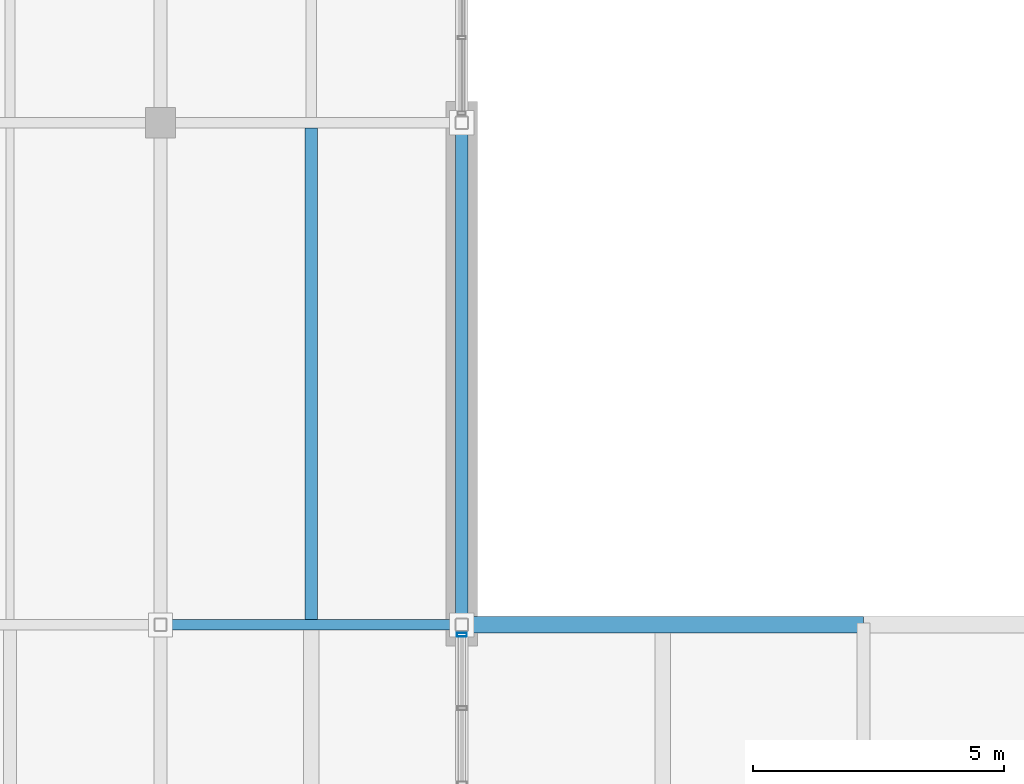
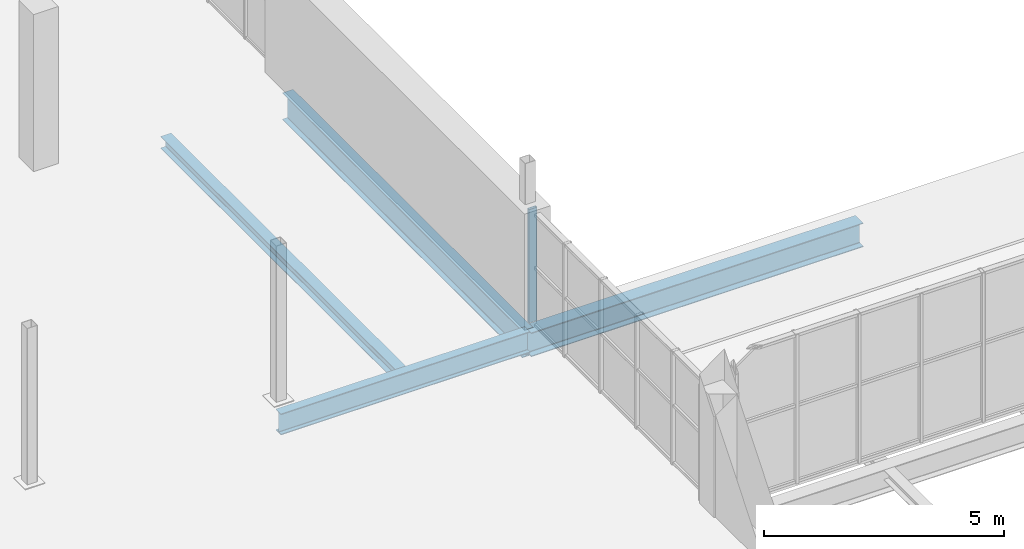
# One storey, part 34 of 96: 4 beams, 1 member, 1 element without a shape of its own.
"""IFC4 building model written with IfcOpenShell, lengths in metres."""

from ifc_helpers import new_model, si_unit, direction, frame, origin, origin_2d, place, context, subcontext, project, spatial, hollow_rectangle, i_section, extrude, material, material_profile, profile_set, type_object, element, aggregate, save


model = new_model("IFC4")

# Units and contexts
model_context = context("Model", 3, precision=1e-05, world=origin(), true_north=direction((0.0, 1.0)))
body_context = subcontext(model_context, "Body", "Model", "MODEL_VIEW")
ifc_project = project(units=[si_unit("LENGTHUNIT", "METRE"), si_unit("AREAUNIT", "SQUARE_METRE"), si_unit("VOLUMEUNIT", "CUBIC_METRE"), si_unit("PLANEANGLEUNIT", "RADIAN"), si_unit("MASSUNIT", "GRAM", prefix="KILO")], contexts=[model_context])

# Site, building, storey
site_placement = place(None, origin())
site = spatial("IfcSite", under=ifc_project, at=site_placement, CompositionType="ELEMENT")
building_placement = place(site_placement, origin())
building = spatial("IfcBuilding", under=site, at=building_placement, Name="Verrall Gate Interchange", CompositionType="ELEMENT")
storey_placement = place(building_placement, frame((0.0, 0.0, 11.39990234375)))
storey = spatial("IfcBuildingStorey", under=building, at=storey_placement, Name="L03", CompositionType="ELEMENT", Elevation=11.39990234375)

# Beams
ifc_material_1 = material(Name="Structural Steel CSA G40.21 350WT Cat 4", Category="steel")
ifc_material_profile_1 = material_profile(ifc_material_1, i_section(OverallWidth=0.256103515625, OverallDepth=0.693115234375, WebThickness=0.01318359375, FlangeThickness=0.02001953125, FilletRadius=0.01611328125, at=origin_2d()), Name="W690x170")
ifc_profile_set_1 = profile_set([ifc_material_profile_1], Name="Structural Steel CSA G40.21 350WT Cat 4")
beam_type_1 = type_object("IfcBeamType", Name="B-07 Structural Beam W690x170", PredefinedType="BEAM", material=ifc_profile_set_1)
beam_1_placement = place(storey_placement, frame((36.0, 56.0, -0.676513671875), z_axis=(0.0, 1.0, 0.0), x_axis=(-1.0, 0.0, 0.0)))
element("IfcBeam", 1, at=beam_1_placement, inside=storey, type_object=beam_type_1, Name="L03 Girder BM-L03-2268 (B-07)", PredefinedType="BEAM", context=body_context, shape_type="SweptSolid", body=[
    extrude(i_section(OverallWidth=0.256103515625, OverallDepth=0.693115234375, WebThickness=0.01318359375, FlangeThickness=0.02001953125, FilletRadius=0.01611328125, at=origin_2d()), origin(), (0.0, 0.0, 1.0), 10.0),
])
ifc_material_2 = material(Name="Structural Steel CSA G40.21 350WT Cat 4", Category="steel")
ifc_material_profile_2 = material_profile(ifc_material_2, i_section(OverallWidth=0.323974609375, OverallDepth=0.611083984375, WebThickness=0.0126953125, FlangeThickness=0.01904296875, FilletRadius=0.014892578125, at=origin_2d()), Name="W610x155")
ifc_profile_set_2 = profile_set([ifc_material_profile_2], Name="Structural Steel CSA G40.21 350WT Cat 4")
beam_type_2 = type_object("IfcBeamType", Name="B-08 Structural Beam W610x155", PredefinedType="BEAM", material=ifc_profile_set_2)
beam_2_placement = place(storey_placement, frame((36.0, 56.0, -0.635498046875), z_axis=(1.0, 0.0, 0.0), x_axis=(0.0, 1.0, 0.0)))
element("IfcBeam", 2, at=beam_2_placement, inside=storey, type_object=beam_type_2, Name="L03 Girder BM-L03-2132 (B-08)", PredefinedType="BEAM", context=body_context, shape_type="SweptSolid", body=[
    extrude(i_section(OverallWidth=0.323974609375, OverallDepth=0.611083984375, WebThickness=0.0126953125, FlangeThickness=0.01904296875, FilletRadius=0.014892578125, at=origin_2d()), origin(), (0.0, 0.0, 1.0), 8.0),
])
ifc_material_3 = material(Name="Structural Steel CSA G40.21 350W", Category="steel")
ifc_material_profile_3 = material_profile(ifc_material_3, i_section(OverallWidth=0.2109375, OverallDepth=0.5390625, WebThickness=0.01171875, FlangeThickness=0.018798828125, FilletRadius=0.013916015625, at=origin_2d()), Name="W530x109")
ifc_profile_set_3 = profile_set([ifc_material_profile_3], Name="Structural Steel CSA G40.21 350W")
beam_type_3 = type_object("IfcBeamType", Name="B-10 Structural Beam W530x109", PredefinedType="BEAM", material=ifc_profile_set_3)
beam_3_placement = place(storey_placement, frame((30.0, 56.0, -0.599365234375), z_axis=(1.0, 0.0, 0.0), x_axis=(0.0, 1.0, 0.0)))
element("IfcBeam", 3, at=beam_3_placement, inside=storey, type_object=beam_type_3, Name="L03 Girder BM-L03-2131 (B-10)", PredefinedType="BEAM", context=body_context, shape_type="SweptSolid", body=[
    extrude(i_section(OverallWidth=0.2109375, OverallDepth=0.5390625, WebThickness=0.01171875, FlangeThickness=0.018798828125, FilletRadius=0.013916015625, at=origin_2d()), origin(), (0.0, 0.0, 1.0), 6.0),
])

# Curtain wall, member
ifc_material_4 = material(Name="Thermally Broken Anodized Aluminium Curtain Wall Framing", Category="aluminium")
curtain_wall_type = type_object("IfcCurtainWallType", Name="CW-33 Unitized Curtain Wall 7509x2880", PredefinedType="NOTDEFINED", material=ifc_material_4)
curtain_wall_placement = place(storey_placement, origin())
curtain_wall = element("IfcCurtainWall", 4, at=curtain_wall_placement, inside=storey, type_object=curtain_wall_type, Name="L03 Unitized Curtain Wall CW-L03-107", PredefinedType="NOTDEFINED")
ifc_material_5 = material(Name="Thermally Broken Anodized Aluminium Curtain Wall Framing", Category="aluminium")
ifc_material_profile_4 = material_profile(ifc_material_5, hollow_rectangle(XDim=0.074951171875, YDim=0.199951171875, WallThickness=0.0048828125, InnerFilletRadius=0.0048828125, OuterFilletRadius=0.010009765625, at=origin_2d()), Name="CWM200x75x5")
ifc_profile_set_4 = profile_set([ifc_material_profile_4], Name="Thermally Broken Anodized Aluminium Curtain Wall Framing")
member_type = type_object("IfcMemberType", Name="CM-02 Curtain Mullion CWM200x75x5", PredefinedType="MULLION", material=ifc_profile_set_4)
member_placement = place(storey_placement, frame((36.0, 55.803466796875, 0.0), z_axis=(0.0, 0.0, 1.0), x_axis=(0.0, 1.0, 0.0)))
member = element("IfcMember", 5, at=member_placement, type_object=member_type, Name="CW-L03-107 Mullion 6", PredefinedType="MULLION", context=body_context, shape_type="SweptSolid", body=[
    extrude(hollow_rectangle(XDim=0.074951171875, YDim=0.199951171875, WallThickness=0.0048828125, InnerFilletRadius=0.0048828125, OuterFilletRadius=0.010009765625, at=origin_2d()), origin(), (0.0, 0.0, 1.0), 2.880126953125),
])
aggregate(curtain_wall, [member])

# Beam
ifc_material_6 = material(Name="Structural Steel CSA G40.21 350W", Category="steel")
ifc_material_profile_5 = material_profile(ifc_material_6, i_section(OverallWidth=0.25390625, OverallDepth=0.305908203125, WebThickness=0.0087890625, FlangeThickness=0.0146484375, FilletRadius=0.012939453125, at=origin_2d()), Name="W310x79")
ifc_profile_set_5 = profile_set([ifc_material_profile_5], Name="Structural Steel CSA G40.21 350W")
beam_type_4 = type_object("IfcBeamType", Name="J-03 Floor Joist W310x79", PredefinedType="JOIST", material=ifc_profile_set_5)
beam_4_placement = place(storey_placement, frame((33.0, 56.10546875, -0.48291015625), z_axis=(0.0, 1.0, 0.0), x_axis=(-1.0, 0.0, 0.0)))
element("IfcBeam", 6, at=beam_4_placement, inside=storey, type_object=beam_type_4, Name="L03 Secondary Floor Joist JST-L03-2503", PredefinedType="JOIST", context=body_context, shape_type="SweptSolid", body=[
    extrude(i_section(OverallWidth=0.25390625, OverallDepth=0.305908203125, WebThickness=0.0087890625, FlangeThickness=0.0146484375, FilletRadius=0.012939453125, at=origin_2d()), origin(), (0.0, 0.0, 1.0), 9.7890625),
])

save(model, "model.ifc")
